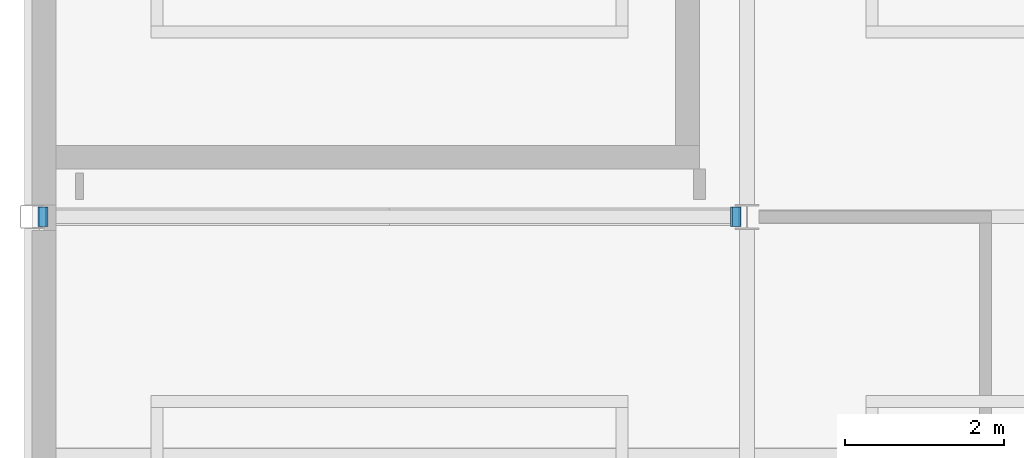
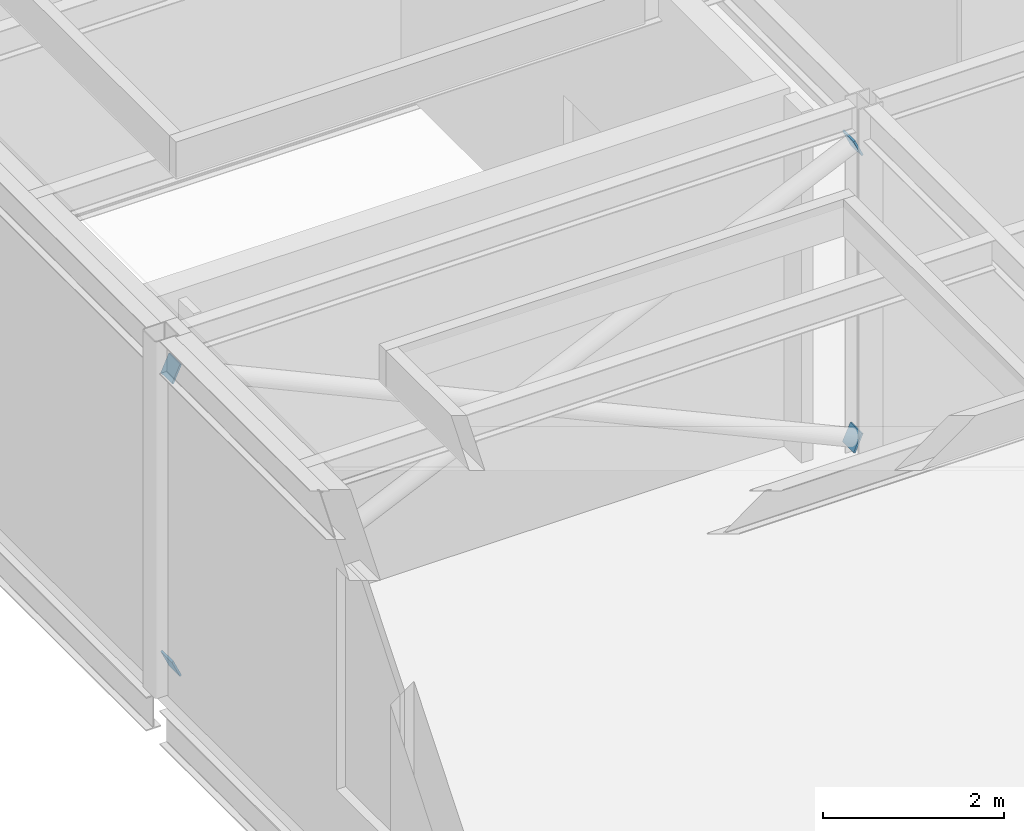
# One storey, part 102 of 115: 4 discrete accessories.
"""IFC4 building model written with IfcOpenShell, lengths in metres."""

from ifc_helpers import new_model, si_unit, direction, frame, origin, place, context, subcontext, project, spatial, polyline, outline, extrude, material, layer, layer_set, type_object, element, save


model = new_model("IFC4")

# Units and contexts
model_context = context("Model", 3, precision=1e-05, world=origin(), true_north=direction((0.0, 1.0)))
body_context = subcontext(model_context, "Body", "Model", "MODEL_VIEW")
ifc_project = project(units=[si_unit("LENGTHUNIT", "METRE"), si_unit("AREAUNIT", "SQUARE_METRE"), si_unit("VOLUMEUNIT", "CUBIC_METRE"), si_unit("PLANEANGLEUNIT", "RADIAN"), si_unit("MASSUNIT", "GRAM", prefix="KILO")], contexts=[model_context])

# Site, building, storey
site_placement = place(None, origin())
site = spatial("IfcSite", under=ifc_project, at=site_placement, CompositionType="ELEMENT")
building_placement = place(site_placement, origin())
building = spatial("IfcBuilding", under=site, at=building_placement, Name="Shorebreak Coast Museum", CompositionType="ELEMENT")
storey_placement = place(building_placement, frame((0.0, 0.0, 11.0)))
storey = spatial("IfcBuildingStorey", under=building, at=storey_placement, Name="L02", CompositionType="ELEMENT", Elevation=11.0)

# Discrete accessories
ifc_material = material(Name="Steel Grade 300", Category="steel")
ifc_layer = layer(ifc_material, 0.02490234375)
ifc_layer_set = layer_set([ifc_layer], Name="Steel Grade 300")
discrete_accessory_type = type_object("IfcDiscreteAccessoryType", Name="End plate 250 x 250 x 25", PredefinedType="BRACKET", material=ifc_layer_set)
discrete_accessory_1_placement = place(storey_placement, frame((0.201904296875, 80.875, 0.186279296875), z_axis=(0.909495559707, 0.0, 0.41571363566), x_axis=(0.0, 1.0, 0.0)))
element("IfcDiscreteAccessory", 1, at=discrete_accessory_1_placement, inside=storey, type_object=discrete_accessory_type, Name="End plate X-brace bay 06 L02 diagonal 1 end 1", PredefinedType="BRACKET", context=body_context, shape_type="SweptSolid", body=[
    extrude(outline(polyline([(0.0, 0.0), (0.25, 0.0), (0.25, 0.2501816089936223), (0.0, 0.2501816089936223), (0.0, 0.0)])), origin(), (0.0, 0.0, -1.0), 0.02490234375),
])
discrete_accessory_2_placement = place(storey_placement, frame((8.921142578125, 80.875, 4.171630859375), z_axis=(0.909864310999, 0.0, 0.41490593581), x_axis=(0.0, 1.0, 0.0)))
element("IfcDiscreteAccessory", 2, at=discrete_accessory_2_placement, inside=storey, type_object=discrete_accessory_type, Name="End plate X-brace bay 06 L02 diagonal 1 end 2", PredefinedType="BRACKET", context=body_context, shape_type="SweptSolid", body=[
    extrude(outline(polyline([(0.0, 0.0), (0.25, 0.0), (0.25, 0.2500802149829807), (0.0, 0.2500802149829807), (0.0, 0.0)])), origin(), (0.0, 0.0, -1.0), 0.02490234375),
])
for number, where, z_axis, x_axis, name in (
    (3, (8.79443359375, 81.125, 0.186279296875), (-0.909495559707, 0.0, 0.41571363566), (0.0, -1.0, 0.0), "End plate X-brace bay 06 L02 diagonal 2 end 1"),
    (4, (0.0751953125, 81.125, 4.171630859375), (-0.909495559707, 0.0, 0.41571363566), (0.0, -1.0, 0.0), "End plate X-brace bay 06 L02 diagonal 2 end 2"),
):
    element("IfcDiscreteAccessory", number, at=place(storey_placement, frame(where, z_axis=z_axis, x_axis=x_axis)), inside=storey, type_object=discrete_accessory_type, Name=name, PredefinedType="BRACKET", context=body_context, shape_type="SweptSolid", body=[
        extrude(outline(polyline([(0.0, 0.0), (0.25, 0.0), (0.25, 0.2501816089936223), (0.0, 0.2501816089936223), (0.0, 0.0)])), origin(), (0.0, 0.0, -1.0), 0.02490234375),
    ])

save(model, "model.ifc")
